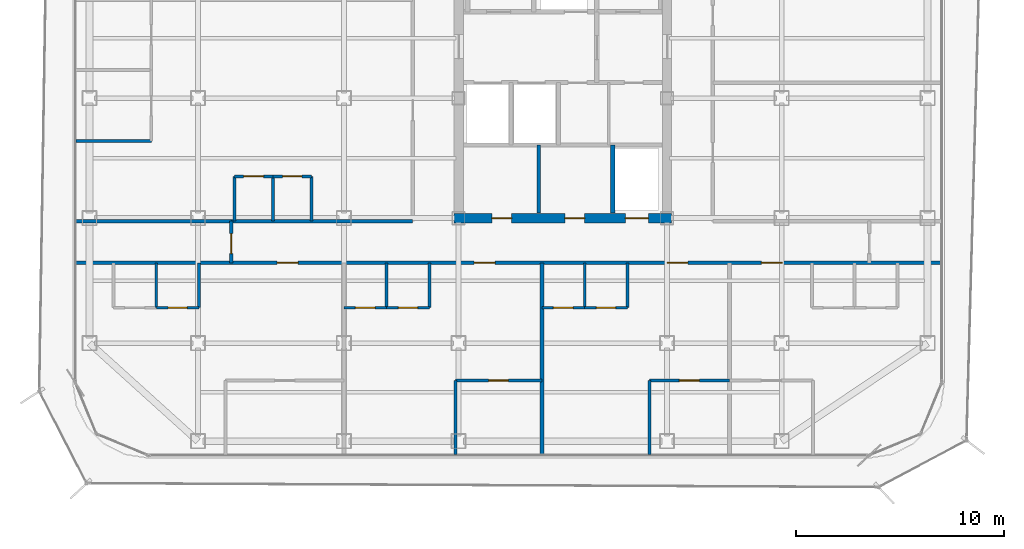
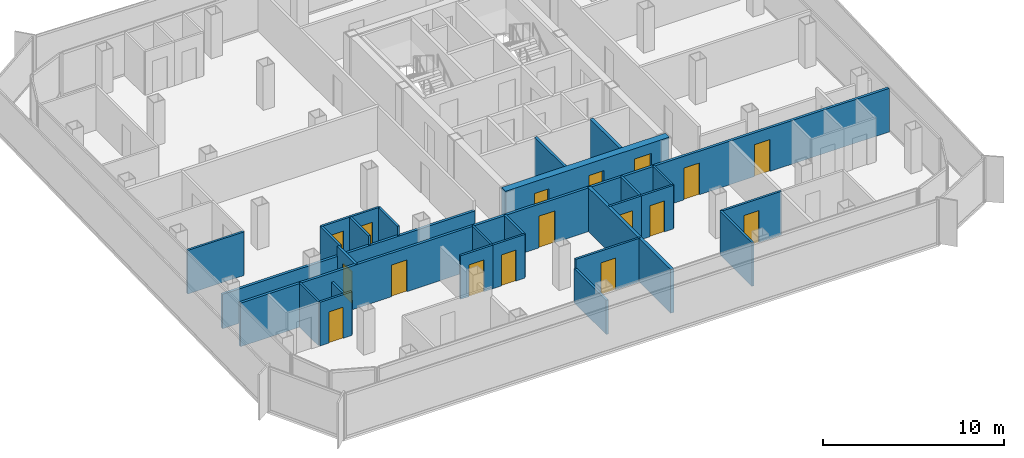
# One storey, part 10 of 16: 29 walls, 17 doors, 17 openings.
"""IFC4 building model written with IfcOpenShell, lengths in metres."""

from ifc_helpers import new_model, si_unit, direction, frame, frame_2d, origin, place, context, subcontext, project, spatial, rectangle, extrude, material, layer, layer_set, type_object, element, fill, save


model = new_model("IFC4")

# Units and contexts
model_context = context("Model", 3, precision=1e-05, world=origin(), true_north=direction((0.0, 1.0)))
body_context = subcontext(model_context, "Body", "Model", "MODEL_VIEW")
ifc_project = project(units=[si_unit("LENGTHUNIT", "METRE"), si_unit("AREAUNIT", "SQUARE_METRE"), si_unit("VOLUMEUNIT", "CUBIC_METRE"), si_unit("PLANEANGLEUNIT", "RADIAN"), si_unit("MASSUNIT", "GRAM", prefix="KILO")], contexts=[model_context])

# Site, building, storey
site_placement = place(None, origin())
site = spatial("IfcSite", under=ifc_project, at=site_placement, CompositionType="ELEMENT")
building_placement = place(site_placement, origin())
building = spatial("IfcBuilding", under=site, at=building_placement, Name="Kolveth Station Tower", CompositionType="ELEMENT")
storey_placement = place(building_placement, frame((0.0, 0.0, 209.199951171875)))
storey = spatial("IfcBuildingStorey", under=building, at=storey_placement, Name="L59", CompositionType="ELEMENT", Elevation=209.199951171875)

# Wall, openings, doors
ifc_material_1 = material(Name="Concrete C50/60", Category="concrete")
ifc_layer_1 = layer(ifc_material_1, 0.449951171875)
ifc_layer_set_1 = layer_set([ifc_layer_1], Name="Concrete C50/60")
wall_type_1 = type_object("IfcWallType", Name="Wall_CW-450", PredefinedType="SHEAR", material=ifc_layer_set_1)
wall_1_placement = place(storey_placement, frame((18.27490234375, 11.5, 0.0), z_axis=(0.0, 0.0, 1.0), x_axis=(1.0, 0.0, 0.0)))
wall_1 = element("IfcWall", 1, at=wall_1_placement, inside=storey, type_object=wall_type_1, Name="L59 Core RC Shear Wall S", PredefinedType="SHEAR", context=body_context, shape_type="SweptSolid", body=[
    extrude(rectangle(XDim=10.4501953125, YDim=0.449951171875, at=frame_2d((5.22509765625, 0.0))), origin(), (0.0, 0.0, 1.0), 2.949951171875),
])
opening_1_placement = place(wall_1_placement, frame((1.824951171875, 0.0, 0.0)))
opening_1 = element("IfcOpeningElement", 2, at=opening_1_placement, cuts=wall_1, Name="Opening ID1", PredefinedType="OPENING", context=body_context, shape_type="SweptSolid", body=[
    extrude(rectangle(XDim=0.949951171875, YDim=2.14990234375, at=frame_2d((0.47509765625, 1.074951171875))), frame((0.0, 0.23486328125, 0.0), z_axis=(0.0, -1.0, 0.0), x_axis=(1.0, 0.0, 0.0)), (0.0, 0.0, 1.0), 0.469970703125),
])
opening_2_placement = place(wall_1_placement, frame((5.324951171875, 0.0, 0.0)))
opening_2 = element("IfcOpeningElement", 3, at=opening_2_placement, cuts=wall_1, Name="Opening ID1", PredefinedType="OPENING", context=body_context, shape_type="SweptSolid", body=[
    extrude(rectangle(XDim=0.949951171875, YDim=2.14990234375, at=frame_2d((0.47509765625, 1.074951171875))), frame((0.0, 0.23486328125, 0.0), z_axis=(0.0, -1.0, 0.0), x_axis=(1.0, 0.0, 0.0)), (0.0, 0.0, 1.0), 0.469970703125),
])
opening_3_placement = place(wall_1_placement, frame((8.22509765625, 0.0, 0.0)))
opening_3 = element("IfcOpeningElement", 4, at=opening_3_placement, cuts=wall_1, Name="Opening LD1", PredefinedType="OPENING", context=body_context, shape_type="SweptSolid", body=[
    extrude(rectangle(XDim=1.10009765625, YDim=2.25, at=frame_2d((0.550048828125, 1.125))), frame((0.0, 0.23486328125, 0.0), z_axis=(0.0, -1.0, 0.0), x_axis=(1.0, 0.0, 0.0)), (0.0, 0.0, 1.0), 0.469970703125),
])
ifc_material_2 = material(Name="Acoustic hardwood leaf and aluminium frame", Category="wood")
door_type_1 = type_object("IfcDoorType", Name="Door_ID1", OperationType="NOTDEFINED", PredefinedType="DOOR", material=ifc_material_2)
door_1_placement = place(opening_1_placement, frame((0.949951171875, 0.0, 0.0), z_axis=(0.0, 0.0, 1.0), x_axis=(-1.0, 0.0, 0.0)))
door_1 = element("IfcDoor", 5, at=door_1_placement, inside=storey, type_object=door_type_1, Name="L59 Laundry Room Door", OperationType="SINGLE_SWING_RIGHT", OverallHeight=2.14990234375, OverallWidth=0.949951171875, PredefinedType="DOOR", context=body_context, shape_type="SweptSolid", body=[
    extrude(rectangle(XDim=0.949951171875, YDim=2.14990234375, at=frame_2d((0.47509765625, 1.074951171875))), frame((0.0, 0.02490234375, 0.0), z_axis=(0.0, -1.0, 0.0), x_axis=(1.0, 0.0, 0.0)), (0.0, 0.0, 1.0), 0.050048828125),
])
fill(opening_1, door_1)
door_2_placement = place(opening_2_placement, frame((0.949951171875, 0.0, 0.0), z_axis=(0.0, 0.0, 1.0), x_axis=(-1.0, 0.0, 0.0)))
door_2 = element("IfcDoor", 6, at=door_2_placement, inside=storey, type_object=door_type_1, Name="L59 Parcel Room Door", OperationType="SINGLE_SWING_LEFT", OverallHeight=2.14990234375, OverallWidth=0.949951171875, PredefinedType="DOOR", context=body_context, shape_type="SweptSolid", body=[
    extrude(rectangle(XDim=0.949951171875, YDim=2.14990234375, at=frame_2d((0.47509765625, 1.074951171875))), frame((0.0, 0.02490234375, 0.0), z_axis=(0.0, -1.0, 0.0), x_axis=(1.0, 0.0, 0.0)), (0.0, 0.0, 1.0), 0.050048828125),
])
fill(opening_2, door_2)
ifc_material_3 = material(Name="Brushed stainless steel sliding landing doors", Category="steel")
door_type_2 = type_object("IfcDoorType", Name="Door_LD1", OperationType="NOTDEFINED", PredefinedType="DOOR", material=ifc_material_3)
door_3_placement = place(opening_3_placement, frame((1.10009765625, 0.0, 0.0), z_axis=(0.0, 0.0, 1.0), x_axis=(-1.0, 0.0, 0.0)))
door_3 = element("IfcDoor", 7, at=door_3_placement, inside=storey, type_object=door_type_2, Name="L59 Lift PH1 Landing Door", OperationType="DOUBLE_DOOR_SLIDING", OverallHeight=2.25, OverallWidth=1.10009765625, PredefinedType="DOOR", context=body_context, shape_type="SweptSolid", body=[
    extrude(rectangle(XDim=1.10009765625, YDim=2.25, at=frame_2d((0.550048828125, 1.125))), frame((0.0, 0.02490234375, 0.0), z_axis=(0.0, -1.0, 0.0), x_axis=(1.0, 0.0, 0.0)), (0.0, 0.0, 1.0), 0.050048828125),
])
fill(opening_3, door_3)

# Wall, opening, door
ifc_material_4 = material(Name="Moisture-resistant gypsum partition")
ifc_layer_2 = layer(ifc_material_4, 0.135009765625)
ifc_layer_set_2 = layer_set([ifc_layer_2], Name="Moisture-resistant gypsum partition")
wall_type_2 = type_object("IfcWallType", Name="Wall_IW-135", PredefinedType="PARTITIONING", material=ifc_layer_set_2)
wall_2_placement = place(storey_placement, frame((4.0, 7.199951171875, 0.0), z_axis=(0.0, 0.0, 1.0), x_axis=(1.0, 0.0, 0.0)))
wall_2 = element("IfcWall", 8, at=wall_2_placement, inside=storey, type_object=wall_type_2, Name="L59 Partition Wall WL-L59-A1-IBHB", PredefinedType="PARTITIONING", context=body_context, shape_type="SweptSolid", body=[
    extrude(rectangle(XDim=2.050048828125, YDim=0.135009765625, at=frame_2d((1.02490234375, 0.0))), origin(), (0.0, 0.0, 1.0), 2.949951171875),
])
opening_4_placement = place(wall_2_placement, frame((0.56494140625, 0.0, 0.0)))
opening_4 = element("IfcOpeningElement", 9, at=opening_4_placement, cuts=wall_2, Name="Opening ID2", PredefinedType="OPENING", context=body_context, shape_type="SweptSolid", body=[
    extrude(rectangle(XDim=0.919921875, YDim=2.10009765625, at=frame_2d((0.4599609375, 1.050048828125))), frame((0.0, 0.077392578125, 0.0), z_axis=(0.0, -1.0, 0.0), x_axis=(1.0, 0.0, 0.0)), (0.0, 0.0, 1.0), 0.155029296875),
])
ifc_material_5 = material(Name="Moisture-resistant hardwood leaf", Category="wood")
door_type_3 = type_object("IfcDoorType", Name="Door_ID2", OperationType="NOTDEFINED", PredefinedType="DOOR", material=ifc_material_5)
door_4_placement = place(opening_4_placement, origin())
door_4 = element("IfcDoor", 10, at=door_4_placement, inside=storey, type_object=door_type_3, Name="Penthouse Flat L59-A1 Bathroom Door", OperationType="SINGLE_SWING_LEFT", OverallHeight=2.10009765625, OverallWidth=0.919921875, PredefinedType="DOOR", context=body_context, shape_type="SweptSolid", body=[
    extrude(rectangle(XDim=0.919921875, YDim=2.10009765625, at=frame_2d((0.4599609375, 1.050048828125))), frame((0.0, 0.02490234375, 0.0), z_axis=(0.0, -1.0, 0.0), x_axis=(1.0, 0.0, 0.0)), (0.0, 0.0, 1.0), 0.050048828125),
])
fill(opening_4, door_4)

# Walls
wall_3_placement = place(storey_placement, frame((4.0, 7.199951171875, 0.0), z_axis=(0.0, 0.0, 1.0), x_axis=(0.0, 1.0, 0.0)))
element("IfcWall", 11, at=wall_3_placement, inside=storey, type_object=wall_type_2, Name="L59 Partition Wall WL-L59-A1-IBV1", PredefinedType="PARTITIONING", context=body_context, shape_type="SweptSolid", body=[
    extrude(rectangle(XDim=2.150146484375, YDim=0.135009765625, at=frame_2d((1.0751953125, 0.0))), origin(), (0.0, 0.0, 1.0), 2.949951171875),
])
wall_4_placement = place(storey_placement, frame((6.050048828125, 7.199951171875, 0.0), z_axis=(0.0, 0.0, 1.0), x_axis=(0.0, 1.0, 0.0)))
element("IfcWall", 12, at=wall_4_placement, inside=storey, type_object=wall_type_2, Name="L59 Partition Wall WL-L59-A1-IBV2", PredefinedType="PARTITIONING", context=body_context, shape_type="SweptSolid", body=[
    extrude(rectangle(XDim=2.150146484375, YDim=0.135009765625, at=frame_2d((1.0751953125, 0.0))), origin(), (0.0, 0.0, 1.0), 2.322998046875),
])

# Wall, opening, door
wall_5_placement = place(storey_placement, frame((13.0, 7.199951171875, 0.0), z_axis=(0.0, 0.0, 1.0), x_axis=(1.0, 0.0, 0.0)))
wall_5 = element("IfcWall", 13, at=wall_5_placement, inside=storey, type_object=wall_type_2, Name="L59 Partition Wall WL-L59-A2-IBHK", PredefinedType="PARTITIONING", context=body_context, shape_type="SweptSolid", body=[
    extrude(rectangle(XDim=2.050048828125, YDim=0.135009765625, at=frame_2d((1.02490234375, 0.0))), origin(), (0.0, 0.0, 1.0), 2.949951171875),
])
opening_5_placement = place(wall_5_placement, frame((0.544921875, 0.0, 0.0)))
opening_5 = element("IfcOpeningElement", 14, at=opening_5_placement, cuts=wall_5, Name="Opening ID1", PredefinedType="OPENING", context=body_context, shape_type="SweptSolid", body=[
    extrude(rectangle(XDim=0.949951171875, YDim=2.14990234375, at=frame_2d((0.47509765625, 1.074951171875))), frame((0.0, 0.077392578125, 0.0), z_axis=(0.0, -1.0, 0.0), x_axis=(1.0, 0.0, 0.0)), (0.0, 0.0, 1.0), 0.155029296875),
])
door_5_placement = place(opening_5_placement, origin())
door_5 = element("IfcDoor", 15, at=door_5_placement, inside=storey, type_object=door_type_1, Name="Flat L59-A2 Kitchen Door", OperationType="SINGLE_SWING_RIGHT", OverallHeight=2.14990234375, OverallWidth=0.949951171875, PredefinedType="DOOR", context=body_context, shape_type="SweptSolid", body=[
    extrude(rectangle(XDim=0.949951171875, YDim=2.14990234375, at=frame_2d((0.47509765625, 1.074951171875))), frame((0.0, 0.02490234375, 0.0), z_axis=(0.0, -1.0, 0.0), x_axis=(1.0, 0.0, 0.0)), (0.0, 0.0, 1.0), 0.050048828125),
])
fill(opening_5, door_5)

wall_6_placement = place(storey_placement, frame((15.050048828125, 7.199951171875, 0.0), z_axis=(0.0, 0.0, 1.0), x_axis=(1.0, 0.0, 0.0)))
wall_6 = element("IfcWall", 16, at=wall_6_placement, inside=storey, type_object=wall_type_2, Name="L59 Partition Wall WL-L59-A2-IBHB", PredefinedType="PARTITIONING", context=body_context, shape_type="SweptSolid", body=[
    extrude(rectangle(XDim=2.050048828125, YDim=0.135009765625, at=frame_2d((1.02490234375, 0.0))), origin(), (0.0, 0.0, 1.0), 2.949951171875),
])
opening_6_placement = place(wall_6_placement, frame((0.56494140625, 0.0, 0.0)))
opening_6 = element("IfcOpeningElement", 17, at=opening_6_placement, cuts=wall_6, Name="Opening ID2", PredefinedType="OPENING", context=body_context, shape_type="SweptSolid", body=[
    extrude(rectangle(XDim=0.919921875, YDim=2.10009765625, at=frame_2d((0.4599609375, 1.050048828125))), frame((0.0, 0.077392578125, 0.0), z_axis=(0.0, -1.0, 0.0), x_axis=(1.0, 0.0, 0.0)), (0.0, 0.0, 1.0), 0.155029296875),
])
door_6_placement = place(opening_6_placement, origin())
door_6 = element("IfcDoor", 18, at=door_6_placement, inside=storey, type_object=door_type_3, Name="Flat L59-A2 Bathroom Door", OperationType="SINGLE_SWING_LEFT", OverallHeight=2.10009765625, OverallWidth=0.919921875, PredefinedType="DOOR", context=body_context, shape_type="SweptSolid", body=[
    extrude(rectangle(XDim=0.919921875, YDim=2.10009765625, at=frame_2d((0.4599609375, 1.050048828125))), frame((0.0, 0.02490234375, 0.0), z_axis=(0.0, -1.0, 0.0), x_axis=(1.0, 0.0, 0.0)), (0.0, 0.0, 1.0), 0.050048828125),
])
fill(opening_6, door_6)

# Walls
for number, where, z_axis, x_axis, name in (
    (19, (15.050048828125, 7.199951171875, 0.0), (0.0, 0.0, 1.0), (0.0, 1.0, 0.0), "L59 Partition Wall WL-L59-A2-IBV1"),
    (20, (17.10009765625, 7.199951171875, 0.0), (0.0, 0.0, 1.0), (0.0, 1.0, 0.0), "L59 Partition Wall WL-L59-A2-IBV2"),
):
    element("IfcWall", number, at=place(storey_placement, frame(where, z_axis=z_axis, x_axis=x_axis)), inside=storey, type_object=wall_type_2, Name=name, PredefinedType="PARTITIONING", context=body_context, shape_type="SweptSolid", body=[
        extrude(rectangle(XDim=2.150146484375, YDim=0.135009765625, at=frame_2d((1.0751953125, 0.0))), origin(), (0.0, 0.0, 1.0), 2.949951171875),
    ])
wall_7_placement = place(storey_placement, frame((18.345947265625, 0.159912109375, 0.0), z_axis=(0.0, 0.0, 1.0), x_axis=(0.0, 1.0, 0.0)))
element("IfcWall", 21, at=wall_7_placement, inside=storey, type_object=wall_type_2, Name="L59 Partition Wall WL-L59-A2-BDV0", PredefinedType="PARTITIONING", context=body_context, shape_type="SweptSolid", body=[
    extrude(rectangle(XDim=3.550048828125, YDim=0.135009765625, at=frame_2d((1.77490234375, 0.0))), origin(), (0.0, 0.0, 1.0), 2.322998046875),
])

# Wall, opening, door
wall_8_placement = place(storey_placement, frame((18.345947265625, 3.7099609375, 0.0), z_axis=(0.0, 0.0, 1.0), x_axis=(1.0, 0.0, 0.0)))
wall_8 = element("IfcWall", 22, at=wall_8_placement, inside=storey, type_object=wall_type_2, Name="L59 Partition Wall WL-L59-A2-BDH1", PredefinedType="PARTITIONING", context=body_context, shape_type="SweptSolid", body=[
    extrude(rectangle(XDim=4.154052734375, YDim=0.135009765625, at=frame_2d((2.0771484375, 0.0))), origin(), (0.0, 0.0, 1.0), 2.949951171875),
])
opening_7_placement = place(wall_8_placement, frame((1.596923828125, 0.0, 0.0)))
opening_7 = element("IfcOpeningElement", 23, at=opening_7_placement, cuts=wall_8, Name="Opening ID1", PredefinedType="OPENING", context=body_context, shape_type="SweptSolid", body=[
    extrude(rectangle(XDim=0.949951171875, YDim=2.14990234375, at=frame_2d((0.47509765625, 1.074951171875))), frame((0.0, 0.077392578125, 0.0), z_axis=(0.0, -1.0, 0.0), x_axis=(1.0, 0.0, 0.0)), (0.0, 0.0, 1.0), 0.155029296875),
])
door_7_placement = place(opening_7_placement, frame((0.949951171875, 0.0, 0.0), z_axis=(0.0, 0.0, 1.0), x_axis=(-1.0, 0.0, 0.0)))
door_7 = element("IfcDoor", 24, at=door_7_placement, inside=storey, type_object=door_type_1, Name="Flat L59-A2 Bedroom 1 Door", OperationType="SINGLE_SWING_RIGHT", OverallHeight=2.14990234375, OverallWidth=0.949951171875, PredefinedType="DOOR", context=body_context, shape_type="SweptSolid", body=[
    extrude(rectangle(XDim=0.949951171875, YDim=2.14990234375, at=frame_2d((0.47509765625, 1.074951171875))), frame((0.0, 0.02490234375, 0.0), z_axis=(0.0, -1.0, 0.0), x_axis=(1.0, 0.0, 0.0)), (0.0, 0.0, 1.0), 0.050048828125),
])
fill(opening_7, door_7)

wall_9_placement = place(storey_placement, frame((22.5, 7.199951171875, 0.0), z_axis=(0.0, 0.0, 1.0), x_axis=(1.0, 0.0, 0.0)))
wall_9 = element("IfcWall", 25, at=wall_9_placement, inside=storey, type_object=wall_type_2, Name="L59 Partition Wall WL-L59-A3-IBHK", PredefinedType="PARTITIONING", context=body_context, shape_type="SweptSolid", body=[
    extrude(rectangle(XDim=2.050048828125, YDim=0.135009765625, at=frame_2d((1.02490234375, 0.0))), origin(), (0.0, 0.0, 1.0), 2.949951171875),
])
opening_8_placement = place(wall_9_placement, frame((0.544921875, 0.0, 0.0)))
opening_8 = element("IfcOpeningElement", 26, at=opening_8_placement, cuts=wall_9, Name="Opening ID1", PredefinedType="OPENING", context=body_context, shape_type="SweptSolid", body=[
    extrude(rectangle(XDim=0.949951171875, YDim=2.14990234375, at=frame_2d((0.47509765625, 1.074951171875))), frame((0.0, 0.077392578125, 0.0), z_axis=(0.0, -1.0, 0.0), x_axis=(1.0, 0.0, 0.0)), (0.0, 0.0, 1.0), 0.155029296875),
])
door_8_placement = place(opening_8_placement, origin())
door_8 = element("IfcDoor", 27, at=door_8_placement, inside=storey, type_object=door_type_1, Name="Flat L59-A3 Kitchen Door", OperationType="SINGLE_SWING_RIGHT", OverallHeight=2.14990234375, OverallWidth=0.949951171875, PredefinedType="DOOR", context=body_context, shape_type="SweptSolid", body=[
    extrude(rectangle(XDim=0.949951171875, YDim=2.14990234375, at=frame_2d((0.47509765625, 1.074951171875))), frame((0.0, 0.02490234375, 0.0), z_axis=(0.0, -1.0, 0.0), x_axis=(1.0, 0.0, 0.0)), (0.0, 0.0, 1.0), 0.050048828125),
])
fill(opening_8, door_8)

wall_10_placement = place(storey_placement, frame((24.550048828125, 7.199951171875, 0.0), z_axis=(0.0, 0.0, 1.0), x_axis=(1.0, 0.0, 0.0)))
wall_10 = element("IfcWall", 28, at=wall_10_placement, inside=storey, type_object=wall_type_2, Name="L59 Partition Wall WL-L59-A3-IBHB", PredefinedType="PARTITIONING", context=body_context, shape_type="SweptSolid", body=[
    extrude(rectangle(XDim=2.050048828125, YDim=0.135009765625, at=frame_2d((1.02490234375, 0.0))), origin(), (0.0, 0.0, 1.0), 2.949951171875),
])
opening_9_placement = place(wall_10_placement, frame((0.56494140625, 0.0, 0.0)))
opening_9 = element("IfcOpeningElement", 29, at=opening_9_placement, cuts=wall_10, Name="Opening ID2", PredefinedType="OPENING", context=body_context, shape_type="SweptSolid", body=[
    extrude(rectangle(XDim=0.919921875, YDim=2.10009765625, at=frame_2d((0.4599609375, 1.050048828125))), frame((0.0, 0.077392578125, 0.0), z_axis=(0.0, -1.0, 0.0), x_axis=(1.0, 0.0, 0.0)), (0.0, 0.0, 1.0), 0.155029296875),
])
door_9_placement = place(opening_9_placement, origin())
door_9 = element("IfcDoor", 30, at=door_9_placement, inside=storey, type_object=door_type_3, Name="Flat L59-A3 Bathroom Door", OperationType="SINGLE_SWING_LEFT", OverallHeight=2.10009765625, OverallWidth=0.919921875, PredefinedType="DOOR", context=body_context, shape_type="SweptSolid", body=[
    extrude(rectangle(XDim=0.919921875, YDim=2.10009765625, at=frame_2d((0.4599609375, 1.050048828125))), frame((0.0, 0.02490234375, 0.0), z_axis=(0.0, -1.0, 0.0), x_axis=(1.0, 0.0, 0.0)), (0.0, 0.0, 1.0), 0.050048828125),
])
fill(opening_9, door_9)

# Walls
for number, where, z_axis, x_axis, name in (
    (31, (24.550048828125, 7.199951171875, 0.0), (0.0, 0.0, 1.0), (0.0, 1.0, 0.0), "L59 Partition Wall WL-L59-A3-IBV1"),
    (32, (26.60009765625, 7.199951171875, 0.0), (0.0, 0.0, 1.0), (0.0, 1.0, 0.0), "L59 Partition Wall WL-L59-A3-IBV2"),
):
    element("IfcWall", number, at=place(storey_placement, frame(where, z_axis=z_axis, x_axis=x_axis)), inside=storey, type_object=wall_type_2, Name=name, PredefinedType="PARTITIONING", context=body_context, shape_type="SweptSolid", body=[
        extrude(rectangle(XDim=2.150146484375, YDim=0.135009765625, at=frame_2d((1.0751953125, 0.0))), origin(), (0.0, 0.0, 1.0), 2.949951171875),
    ])
wall_11_placement = place(storey_placement, frame((27.656005859375, 0.159912109375, 0.0), z_axis=(0.0, 0.0, 1.0), x_axis=(0.0, 1.0, 0.0)))
element("IfcWall", 33, at=wall_11_placement, inside=storey, type_object=wall_type_2, Name="L59 Partition Wall WL-L59-A3-BDV0", PredefinedType="PARTITIONING", context=body_context, shape_type="SweptSolid", body=[
    extrude(rectangle(XDim=3.550048828125, YDim=0.135009765625, at=frame_2d((1.77490234375, 0.0))), origin(), (0.0, 0.0, 1.0), 2.949951171875),
])

# Wall, opening, door
wall_12_placement = place(storey_placement, frame((27.656005859375, 3.7099609375, 0.0), z_axis=(0.0, 0.0, 1.0), x_axis=(1.0, 0.0, 0.0)))
wall_12 = element("IfcWall", 34, at=wall_12_placement, inside=storey, type_object=wall_type_2, Name="L59 Partition Wall WL-L59-A3-BDH1", PredefinedType="PARTITIONING", context=body_context, shape_type="SweptSolid", body=[
    extrude(rectangle(XDim=3.843994140625, YDim=0.135009765625, at=frame_2d((1.921875, 0.0))), origin(), (0.0, 0.0, 1.0), 2.949951171875),
])
opening_10_placement = place(wall_12_placement, frame((1.44189453125, 0.0, 0.0)))
opening_10 = element("IfcOpeningElement", 35, at=opening_10_placement, cuts=wall_12, Name="Opening ID1", PredefinedType="OPENING", context=body_context, shape_type="SweptSolid", body=[
    extrude(rectangle(XDim=0.949951171875, YDim=2.14990234375, at=frame_2d((0.47509765625, 1.074951171875))), frame((0.0, 0.077392578125, 0.0), z_axis=(0.0, -1.0, 0.0), x_axis=(1.0, 0.0, 0.0)), (0.0, 0.0, 1.0), 0.155029296875),
])
door_10_placement = place(opening_10_placement, frame((0.949951171875, 0.0, 0.0), z_axis=(0.0, 0.0, 1.0), x_axis=(-1.0, 0.0, 0.0)))
door_10 = element("IfcDoor", 36, at=door_10_placement, inside=storey, type_object=door_type_1, Name="Flat L59-A3 Bedroom 1 Door", OperationType="SINGLE_SWING_LEFT", OverallHeight=2.14990234375, OverallWidth=0.949951171875, PredefinedType="DOOR", context=body_context, shape_type="SweptSolid", body=[
    extrude(rectangle(XDim=0.949951171875, YDim=2.14990234375, at=frame_2d((0.47509765625, 1.074951171875))), frame((0.0, 0.02490234375, 0.0), z_axis=(0.0, -1.0, 0.0), x_axis=(1.0, 0.0, 0.0)), (0.0, 0.0, 1.0), 0.050048828125),
])
fill(opening_10, door_10)

wall_13_placement = place(storey_placement, frame((7.75, 13.5, 0.0), z_axis=(0.0, 0.0, 1.0), x_axis=(1.0, 0.0, 0.0)))
wall_13 = element("IfcWall", 37, at=wall_13_placement, inside=storey, type_object=wall_type_2, Name="L59 Partition Wall WL-L59-W1-IBHK", PredefinedType="PARTITIONING", context=body_context, shape_type="SweptSolid", body=[
    extrude(rectangle(XDim=1.85009765625, YDim=0.135009765625, at=frame_2d((0.925048828125, 0.0))), origin(), (0.0, 0.0, 1.0), 2.949951171875),
])
opening_11_placement = place(wall_13_placement, frame((0.445068359375, 0.0, 0.0)))
opening_11 = element("IfcOpeningElement", 38, at=opening_11_placement, cuts=wall_13, Name="Opening ID1", PredefinedType="OPENING", context=body_context, shape_type="SweptSolid", body=[
    extrude(rectangle(XDim=0.949951171875, YDim=2.14990234375, at=frame_2d((0.47509765625, 1.074951171875))), frame((0.0, 0.077392578125, 0.0), z_axis=(0.0, -1.0, 0.0), x_axis=(1.0, 0.0, 0.0)), (0.0, 0.0, 1.0), 0.155029296875),
])
door_11_placement = place(opening_11_placement, origin())
door_11 = element("IfcDoor", 39, at=door_11_placement, inside=storey, type_object=door_type_1, Name="Penthouse Flat L59-W1 Kitchen Door", OperationType="SINGLE_SWING_RIGHT", OverallHeight=2.14990234375, OverallWidth=0.949951171875, PredefinedType="DOOR", context=body_context, shape_type="SweptSolid", body=[
    extrude(rectangle(XDim=0.949951171875, YDim=2.14990234375, at=frame_2d((0.47509765625, 1.074951171875))), frame((0.0, 0.02490234375, 0.0), z_axis=(0.0, -1.0, 0.0), x_axis=(1.0, 0.0, 0.0)), (0.0, 0.0, 1.0), 0.050048828125),
])
fill(opening_11, door_11)

wall_14_placement = place(storey_placement, frame((9.60009765625, 13.5, 0.0), z_axis=(0.0, 0.0, 1.0), x_axis=(1.0, 0.0, 0.0)))
wall_14 = element("IfcWall", 40, at=wall_14_placement, inside=storey, type_object=wall_type_2, Name="L59 Partition Wall WL-L59-W1-IBHB", PredefinedType="PARTITIONING", context=body_context, shape_type="SweptSolid", body=[
    extrude(rectangle(XDim=1.849853515625, YDim=0.135009765625, at=frame_2d((0.9248046875, 0.0))), origin(), (0.0, 0.0, 1.0), 2.949951171875),
])
opening_12_placement = place(wall_14_placement, frame((0.465087890625, 0.0, 0.0)))
opening_12 = element("IfcOpeningElement", 41, at=opening_12_placement, cuts=wall_14, Name="Opening ID2", PredefinedType="OPENING", context=body_context, shape_type="SweptSolid", body=[
    extrude(rectangle(XDim=0.919921875, YDim=2.10009765625, at=frame_2d((0.4599609375, 1.050048828125))), frame((0.0, 0.077392578125, 0.0), z_axis=(0.0, -1.0, 0.0), x_axis=(1.0, 0.0, 0.0)), (0.0, 0.0, 1.0), 0.155029296875),
])
door_12_placement = place(opening_12_placement, origin())
door_12 = element("IfcDoor", 42, at=door_12_placement, inside=storey, type_object=door_type_3, Name="Penthouse Flat L59-W1 Bathroom Door", OperationType="SINGLE_SWING_LEFT", OverallHeight=2.10009765625, OverallWidth=0.919921875, PredefinedType="DOOR", context=body_context, shape_type="SweptSolid", body=[
    extrude(rectangle(XDim=0.919921875, YDim=2.10009765625, at=frame_2d((0.4599609375, 1.050048828125))), frame((0.0, 0.02490234375, 0.0), z_axis=(0.0, -1.0, 0.0), x_axis=(1.0, 0.0, 0.0)), (0.0, 0.0, 1.0), 0.050048828125),
])
fill(opening_12, door_12)

# Walls
for number, where, z_axis, x_axis, name in (
    (43, (7.75, 11.35009765625, 0.0), (0.0, 0.0, 1.0), (0.0, 1.0, 0.0), "L59 Partition Wall WL-L59-W1-IBV0"),
    (44, (9.60009765625, 11.35009765625, 0.0), (0.0, 0.0, 1.0), (0.0, 1.0, 0.0), "L59 Partition Wall WL-L59-W1-IBV1"),
    (45, (11.449951171875, 11.35009765625, 0.0), (0.0, 0.0, 1.0), (0.0, 1.0, 0.0), "L59 Partition Wall WL-L59-W1-IBV2"),
):
    element("IfcWall", number, at=place(storey_placement, frame(where, z_axis=z_axis, x_axis=x_axis)), inside=storey, type_object=wall_type_2, Name=name, PredefinedType="PARTITIONING", context=body_context, shape_type="SweptSolid", body=[
        extrude(rectangle(XDim=2.14990234375, YDim=0.135009765625, at=frame_2d((1.074951171875, 0.0))), origin(), (0.0, 0.0, 1.0), 2.949951171875),
    ])
wall_15_placement = place(storey_placement, frame((0.159912109375, 15.199951171875, 0.0), z_axis=(0.0, 0.0, 1.0), x_axis=(1.0, 0.0, 0.0)))
element("IfcWall", 46, at=wall_15_placement, inside=storey, type_object=wall_type_2, Name="L59 Partition Wall WL-L59-W1-BDH0", PredefinedType="PARTITIONING", context=body_context, shape_type="SweptSolid", body=[
    extrude(rectangle(XDim=3.60009765625, YDim=0.135009765625, at=frame_2d((1.800048828125, 0.0))), origin(), (0.0, 0.0, 1.0), 2.949951171875),
])
ifc_material_6 = material(Name="Acoustic double-stud gypsum partition")
ifc_layer_3 = layer(ifc_material_6, 0.1650390625)
ifc_layer_set_3 = layer_set([ifc_layer_3], Name="Acoustic double-stud gypsum partition")
wall_type_3 = type_object("IfcWallType", Name="Wall_IW-165", PredefinedType="PARTITIONING", material=ifc_layer_set_3)
wall_16_placement = place(storey_placement, frame((22.35009765625, 11.735107421875, 0.0), z_axis=(0.0, 0.0, 1.0), x_axis=(0.0, 1.0, 0.0)))
element("IfcWall", 47, at=wall_16_placement, inside=storey, type_object=wall_type_3, Name="L59 Partition Wall WL-L59-FR-M", PredefinedType="PARTITIONING", context=body_context, shape_type="SweptSolid", body=[
    extrude(rectangle(XDim=3.264892578125, YDim=0.1650390625, at=frame_2d((1.63232421875, 0.0))), origin(), (0.0, 0.0, 1.0), 2.949951171875),
])

# Wall, openings, doors
wall_17_placement = place(storey_placement, frame((0.159912109375, 9.35009765625, 0.0), z_axis=(0.0, 0.0, 1.0), x_axis=(1.0, 0.0, 0.0)))
wall_17 = element("IfcWall", 48, at=wall_17_placement, inside=storey, type_object=wall_type_3, Name="L59 Partition Wall WL-L59-RS", PredefinedType="PARTITIONING", context=body_context, shape_type="SweptSolid", body=[
    extrude(rectangle(XDim=41.47998046875, YDim=0.1650390625, at=frame_2d((20.739990234375, 0.0))), origin(), (0.0, 0.0, 1.0), 2.949951171875),
])
opening_13_placement = place(wall_17_placement, frame((9.639892578125, 0.0, 0.0)))
opening_13 = element("IfcOpeningElement", 49, at=opening_13_placement, cuts=wall_17, Name="Opening FD3", PredefinedType="OPENING", context=body_context, shape_type="SweptSolid", body=[
    extrude(rectangle(XDim=1.0, YDim=2.14990234375, at=frame_2d((0.5, 1.074951171875))), frame((0.0, 0.092529296875, 0.0), z_axis=(0.0, -1.0, 0.0), x_axis=(1.0, 0.0, 0.0)), (0.0, 0.0, 1.0), 0.18505859375),
])
opening_14_placement = place(wall_17_placement, frame((19.090087890625, 0.0, 0.0)))
opening_14 = element("IfcOpeningElement", 50, at=opening_14_placement, cuts=wall_17, Name="Opening FD3", PredefinedType="OPENING", context=body_context, shape_type="SweptSolid", body=[
    extrude(rectangle(XDim=1.0, YDim=2.14990234375, at=frame_2d((0.5, 1.074951171875))), frame((0.0, 0.092529296875, 0.0), z_axis=(0.0, -1.0, 0.0), x_axis=(1.0, 0.0, 0.0)), (0.0, 0.0, 1.0), 0.18505859375),
])
opening_15_placement = place(wall_17_placement, frame((28.340087890625, 0.0, 0.0)))
opening_15 = element("IfcOpeningElement", 51, at=opening_15_placement, cuts=wall_17, Name="Opening FD3", PredefinedType="OPENING", context=body_context, shape_type="SweptSolid", body=[
    extrude(rectangle(XDim=1.0, YDim=2.14990234375, at=frame_2d((0.5, 1.074951171875))), frame((0.0, 0.092529296875, 0.0), z_axis=(0.0, -1.0, 0.0), x_axis=(1.0, 0.0, 0.0)), (0.0, 0.0, 1.0), 0.18505859375),
])
opening_16_placement = place(wall_17_placement, frame((32.864990234375, 0.0, 0.0)))
opening_16 = element("IfcOpeningElement", 52, at=opening_16_placement, cuts=wall_17, Name="Opening FD3", PredefinedType="OPENING", context=body_context, shape_type="SweptSolid", body=[
    extrude(rectangle(XDim=1.0, YDim=2.14990234375, at=frame_2d((0.5, 1.074951171875))), frame((0.0, 0.092529296875, 0.0), z_axis=(0.0, -1.0, 0.0), x_axis=(1.0, 0.0, 0.0)), (0.0, 0.0, 1.0), 0.18505859375),
])
ifc_material_7 = material(Name="Fire-rated hardwood leaf and aluminium frame", Category="wood")
door_type_4 = type_object("IfcDoorType", Name="Door_FD3", OperationType="NOTDEFINED", PredefinedType="DOOR", material=ifc_material_7)
door_13_placement = place(opening_13_placement, frame((1.0, 0.0, 0.0), z_axis=(0.0, 0.0, 1.0), x_axis=(-1.0, 0.0, 0.0)))
door_13 = element("IfcDoor", 53, at=door_13_placement, inside=storey, type_object=door_type_4, Name="Penthouse Flat L59-A1 Entrance Door", OperationType="SINGLE_SWING_LEFT", OverallHeight=2.14990234375, OverallWidth=1.0, PredefinedType="DOOR", context=body_context, shape_type="SweptSolid", body=[
    extrude(rectangle(XDim=1.0, YDim=2.14990234375, at=frame_2d((0.5, 1.074951171875))), frame((0.0, 0.02490234375, 0.0), z_axis=(0.0, -1.0, 0.0), x_axis=(1.0, 0.0, 0.0)), (0.0, 0.0, 1.0), 0.050048828125),
])
fill(opening_13, door_13)
door_14_placement = place(opening_14_placement, frame((1.0, 0.0, 0.0), z_axis=(0.0, 0.0, 1.0), x_axis=(-1.0, 0.0, 0.0)))
door_14 = element("IfcDoor", 54, at=door_14_placement, inside=storey, type_object=door_type_4, Name="Flat L59-A2 Entrance Door", OperationType="SINGLE_SWING_LEFT", OverallHeight=2.14990234375, OverallWidth=1.0, PredefinedType="DOOR", context=body_context, shape_type="SweptSolid", body=[
    extrude(rectangle(XDim=1.0, YDim=2.14990234375, at=frame_2d((0.5, 1.074951171875))), frame((0.0, 0.02490234375, 0.0), z_axis=(0.0, -1.0, 0.0), x_axis=(1.0, 0.0, 0.0)), (0.0, 0.0, 1.0), 0.050048828125),
])
fill(opening_14, door_14)
door_15_placement = place(opening_15_placement, frame((1.0, 0.0, 0.0), z_axis=(0.0, 0.0, 1.0), x_axis=(-1.0, 0.0, 0.0)))
door_15 = element("IfcDoor", 55, at=door_15_placement, inside=storey, type_object=door_type_4, Name="Flat L59-A3 Entrance Door", OperationType="SINGLE_SWING_LEFT", OverallHeight=2.14990234375, OverallWidth=1.0, PredefinedType="DOOR", context=body_context, shape_type="SweptSolid", body=[
    extrude(rectangle(XDim=1.0, YDim=2.14990234375, at=frame_2d((0.5, 1.074951171875))), frame((0.0, 0.02490234375, 0.0), z_axis=(0.0, -1.0, 0.0), x_axis=(1.0, 0.0, 0.0)), (0.0, 0.0, 1.0), 0.050048828125),
])
fill(opening_15, door_15)
door_16_placement = place(opening_16_placement, frame((1.0, 0.0, 0.0), z_axis=(0.0, 0.0, 1.0), x_axis=(-1.0, 0.0, 0.0)))
door_16 = element("IfcDoor", 56, at=door_16_placement, inside=storey, type_object=door_type_4, Name="Flat L59-A4 Entrance Door", OperationType="SINGLE_SWING_LEFT", OverallHeight=2.14990234375, OverallWidth=1.0, PredefinedType="DOOR", context=body_context, shape_type="SweptSolid", body=[
    extrude(rectangle(XDim=1.0, YDim=2.14990234375, at=frame_2d((0.5, 1.074951171875))), frame((0.0, 0.02490234375, 0.0), z_axis=(0.0, -1.0, 0.0), x_axis=(1.0, 0.0, 0.0)), (0.0, 0.0, 1.0), 0.050048828125),
])
fill(opening_16, door_16)

# Wall
wall_18_placement = place(storey_placement, frame((7.60009765625, 11.35009765625, 0.0), z_axis=(0.0, 0.0, 1.0), x_axis=(1.0, 0.0, 0.0)))
element("IfcWall", 57, at=wall_18_placement, inside=storey, type_object=wall_type_3, Name="L59 Partition Wall WL-L59-RSWT", PredefinedType="PARTITIONING", context=body_context, shape_type="SweptSolid", body=[
    extrude(rectangle(XDim=8.699951171875, YDim=0.1650390625, at=frame_2d((4.35009765625, 0.0))), origin(), (0.0, 0.0, 1.0), 2.322998046875),
])

# Wall, opening, door
wall_19_placement = place(storey_placement, frame((7.60009765625, 9.35009765625, 0.0), z_axis=(0.0, 0.0, 1.0), x_axis=(0.0, 1.0, 0.0)))
wall_19 = element("IfcWall", 58, at=wall_19_placement, inside=storey, type_object=wall_type_3, Name="L59 Partition Wall WL-L59-RSWE", PredefinedType="PARTITIONING", context=body_context, shape_type="SweptSolid", body=[
    extrude(rectangle(XDim=2.0, YDim=0.1650390625, at=frame_2d((1.0, 0.0))), origin(), (0.0, 0.0, 1.0), 2.949951171875),
])
opening_17_placement = place(wall_19_placement, frame((0.449951171875, 0.0, 0.0)))
opening_17 = element("IfcOpeningElement", 59, at=opening_17_placement, cuts=wall_19, Name="Opening ID1", PredefinedType="OPENING", context=body_context, shape_type="SweptSolid", body=[
    extrude(rectangle(XDim=0.949951171875, YDim=2.14990234375, at=frame_2d((0.47509765625, 1.074951171875))), frame((0.0, 0.092529296875, 0.0), z_axis=(0.0, -1.0, 0.0), x_axis=(1.0, 0.0, 0.0)), (0.0, 0.0, 1.0), 0.18505859375),
])
door_17_placement = place(opening_17_placement, frame((0.949951171875, 0.0, 0.0), z_axis=(0.0, 0.0, 1.0), x_axis=(-1.0, 0.0, 0.0)))
door_17 = element("IfcDoor", 60, at=door_17_placement, inside=storey, type_object=door_type_1, Name="L59 West Store Door", OperationType="SINGLE_SWING_RIGHT", OverallHeight=2.14990234375, OverallWidth=0.949951171875, PredefinedType="DOOR", context=body_context, shape_type="SweptSolid", body=[
    extrude(rectangle(XDim=0.949951171875, YDim=2.14990234375, at=frame_2d((0.47509765625, 1.074951171875))), frame((0.0, 0.02490234375, 0.0), z_axis=(0.0, -1.0, 0.0), x_axis=(1.0, 0.0, 0.0)), (0.0, 0.0, 1.0), 0.050048828125),
])
fill(opening_17, door_17)

# Walls
wall_20_placement = place(storey_placement, frame((0.159912109375, 11.35009765625, 0.0), z_axis=(0.0, 0.0, 1.0), x_axis=(1.0, 0.0, 0.0)))
element("IfcWall", 61, at=wall_20_placement, inside=storey, type_object=wall_type_3, Name="L59 Partition Wall WL-L59-WSTN", PredefinedType="PARTITIONING", context=body_context, shape_type="SweptSolid", body=[
    extrude(rectangle(XDim=7.440185546875, YDim=0.1650390625, at=frame_2d((3.72021484375, 0.0))), origin(), (0.0, 0.0, 1.0), 2.322998046875),
])
ifc_material_8 = material(Name="Acoustic fire-rated gypsum blockwork", Category="masonry")
ifc_layer_4 = layer(ifc_material_8, 0.199951171875)
ifc_layer_set_4 = layer_set([ifc_layer_4], Name="Acoustic fire-rated gypsum blockwork")
wall_type_4 = type_object("IfcWallType", Name="Wall_IW-200", PredefinedType="PARTITIONING", material=ifc_layer_set_4)
wall_21_placement = place(storey_placement, frame((25.89990234375, 11.735107421875, 0.0), z_axis=(0.0, 0.0, 1.0), x_axis=(0.0, 1.0, 0.0)))
element("IfcWall", 62, at=wall_21_placement, inside=storey, type_object=wall_type_4, Name="L59 Partition Wall WL-L59-PMPH", PredefinedType="PARTITIONING", context=body_context, shape_type="SweptSolid", body=[
    extrude(rectangle(XDim=3.264892578125, YDim=0.199951171875, at=frame_2d((1.63232421875, 0.0))), origin(), (0.0, 0.0, 1.0), 2.949951171875),
])
wall_22_placement = place(storey_placement, frame((22.5, 0.159912109375, 0.0), z_axis=(0.0, 0.0, 1.0), x_axis=(0.0, 1.0, 0.0)))
element("IfcWall", 63, at=wall_22_placement, inside=storey, type_object=wall_type_4, Name="L59 Partition Wall WL-L59-RSU-2", PredefinedType="PARTITIONING", context=body_context, shape_type="SweptSolid", body=[
    extrude(rectangle(XDim=9.190185546875, YDim=0.199951171875, at=frame_2d((4.59521484375, 0.0))), origin(), (0.0, 0.0, 1.0), 2.949951171875),
])

save(model, "model.ifc")
